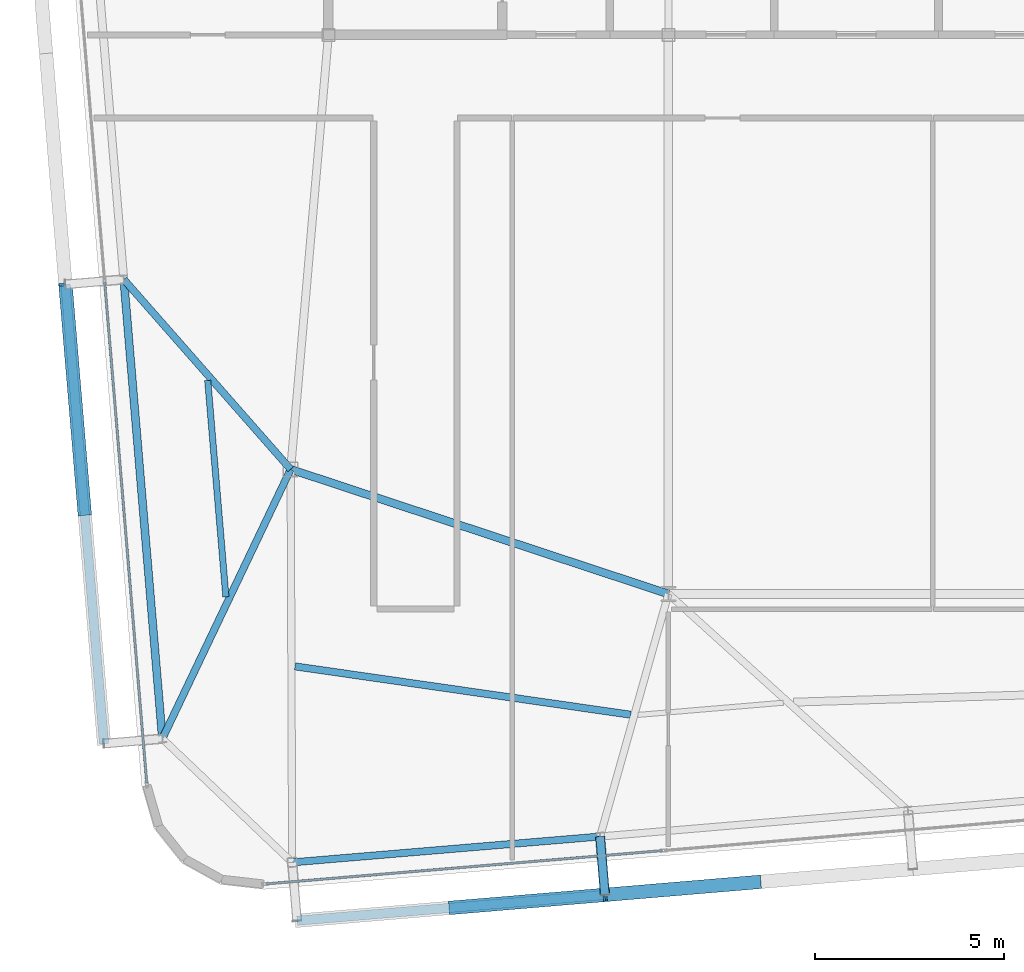
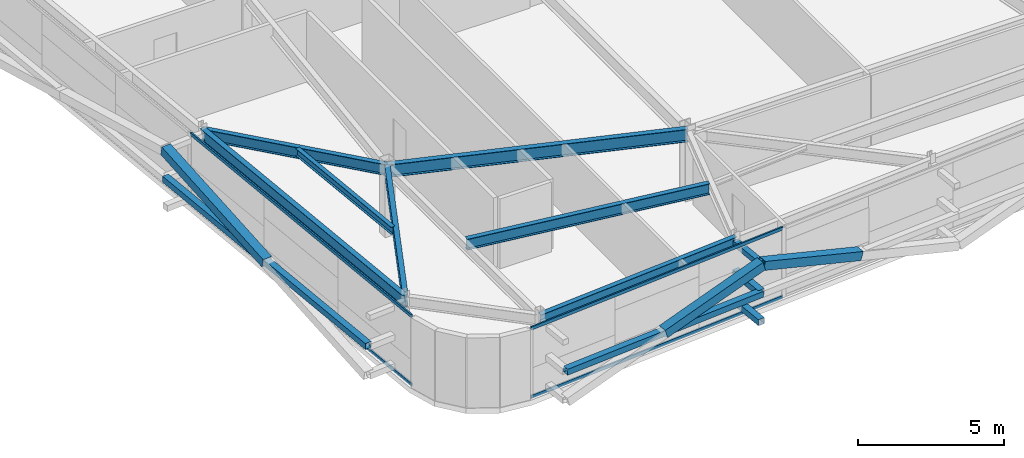
# One storey, part 8 of 39: 12 members, 7 beams, 2 elements without a shape of their own.
"""IFC4 building model written with IfcOpenShell, lengths in metres."""

import ifcopenshell
import ifcopenshell.guid

model = None  # the IFC model being written
_history = None  # IfcOwnerHistory: only IFC2X3 demands one
_inside = {}  # id of a spatial element -> (the spatial element, [elements in it])
_under = {}  # id of a project, library or spatial element -> (it, [spatial elements below it])
_declared = {}  # id of a project -> (the project, [libraries it declares])
_typed = {}  # id of a type object -> (the type object, [elements of that type])
_made_of = {}  # id of a material, layer set ... -> (it, [elements and type objects made of it])


def new_model(schema):
    """Start an empty IFC model of exactly this schema.

    Asked for "IFC4X3", IfcOpenShell would pick the latest addendum, in which some entities
    have other attributes; the version numbers below select the first issue.
    IFC2X3 requires an IfcOwnerHistory on every rooted entity: one is made here for all.
    """
    global model, _history
    if schema == "IFC4X3":
        model = ifcopenshell.file(schema_version=(4, 3, 0, 0))
    else:
        model = ifcopenshell.file(schema=schema)
    _inside.clear()
    _under.clear()
    _declared.clear()
    _typed.clear()
    _made_of.clear()
    _history = None
    if model.schema == "IFC2X3":
        org = make("IfcOrganization", Name="unknown")
        user = make(
            "IfcPersonAndOrganization",
            ThePerson=make("IfcPerson", FamilyName="unknown"),
            TheOrganization=org,
        )
        app = make(
            "IfcApplication",
            ApplicationDeveloper=org,
            Version="unknown",
            ApplicationFullName="unknown",
            ApplicationIdentifier="unknown",
        )
        _history = make(
            "IfcOwnerHistory",
            OwningUser=user,
            OwningApplication=app,
            ChangeAction="ADDED",
            CreationDate=0,
        )
    return model


def make(cls, **values):
    """One entity of the class cls with the attributes given. An attribute that is None is left unset."""
    return model.create_entity(
        cls, **{name: value for name, value in values.items() if value is not None}
    )


def rooted(cls, **values):
    """An entity with a GlobalId (a new one), such as an element, a storey or a relation."""
    return make(cls, GlobalId=ifcopenshell.guid.new(), OwnerHistory=_history, **values)


def si_unit(unit_type, name, prefix=None):
    """IfcSIUnit, for example si_unit("LENGTHUNIT", "METRE", prefix="MILLI")."""
    return make("IfcSIUnit", UnitType=unit_type, Prefix=prefix, Name=name)


def assignment(units):
    """IfcUnitAssignment: the units of a project."""
    return None if units is None else make("IfcUnitAssignment", Units=units)


def point(xyz):
    """IfcCartesianPoint."""
    return None if xyz is None else make("IfcCartesianPoint", Coordinates=xyz)


def direction(xyz):
    """IfcDirection."""
    return None if xyz is None else make("IfcDirection", DirectionRatios=xyz)


def frame(location, z_axis=None, x_axis=None):
    """IfcAxis2Placement3D, a coordinate frame: its origin and axes. An axis left out is left unset."""
    return make(
        "IfcAxis2Placement3D",
        Location=point(location),
        Axis=direction(z_axis),
        RefDirection=direction(x_axis),
    )


def frame_2d(location, x_axis=None):
    """IfcAxis2Placement2D, a coordinate frame in the plane: its origin and x axis."""
    return make(
        "IfcAxis2Placement2D", Location=point(location), RefDirection=direction(x_axis)
    )


def origin():
    """The frame at (0, 0, 0) with its axes left unset."""
    return frame((0.0, 0.0, 0.0))


def origin_2d():
    """The frame at (0, 0) in the plane with its x axis left unset."""
    return frame_2d((0.0, 0.0))


def place(relative_to, where):
    """IfcLocalPlacement: puts the frame where relative to a parent placement (None: the world)."""
    return make(
        "IfcLocalPlacement", PlacementRelTo=relative_to, RelativePlacement=where
    )


def context(
    kind, dimensions, precision=None, world=None, true_north=None, identifier=None
):
    """IfcGeometricRepresentationContext, for example the 3D "Model" context."""
    return make(
        "IfcGeometricRepresentationContext",
        ContextIdentifier=identifier,
        ContextType=kind,
        CoordinateSpaceDimension=dimensions,
        Precision=precision,
        WorldCoordinateSystem=world,
        TrueNorth=true_north,
    )


def subcontext(parent, identifier, kind, view, scale=None):
    """IfcGeometricRepresentationSubContext, for example "Body" below "Model"."""
    return make(
        "IfcGeometricRepresentationSubContext",
        ContextIdentifier=identifier,
        ContextType=kind,
        ParentContext=parent,
        TargetScale=scale,
        TargetView=view,
    )


def project(units=None, contexts=None):
    """IfcProject with its units and contexts."""
    return rooted(
        "IfcProject",
        Name="project",
        RepresentationContexts=contexts,
        UnitsInContext=assignment(units),
    )


def spatial(cls, under=None, at=None, **own):
    """A site, building, storey or space (cls), placed at a placement, below another one or the project."""
    s = rooted(cls, ObjectPlacement=at, **own)
    if under is not None:
        _under.setdefault(under.id(), (under, []))[1].append(s)
    return s


def profile(cls, at=None, kind="AREA", **sizes):
    """A parametric profile (cls). Its sizes go by their IFC names, for example OverallWidth=200.0."""
    return make(cls, ProfileType=kind, Position=at, **sizes)


def hollow_rectangle(**sizes):
    """IfcRectangleHollowProfileDef."""
    return profile("IfcRectangleHollowProfileDef", **sizes)


def i_section(**sizes):
    """IfcIShapeProfileDef."""
    return profile("IfcIShapeProfileDef", **sizes)


def extrude(swept, where, along, depth):
    """IfcExtrudedAreaSolid: the profile swept, set in the frame where, extruded along a direction by depth."""
    return make(
        "IfcExtrudedAreaSolid",
        SweptArea=swept,
        Position=where,
        ExtrudedDirection=direction(along),
        Depth=depth,
    )


def shape(context_of_items, identifier, shape_type, items):
    """IfcShapeRepresentation: the items that make up one representation, for example the "Body"."""
    return make(
        "IfcShapeRepresentation",
        ContextOfItems=context_of_items,
        RepresentationIdentifier=identifier,
        RepresentationType=shape_type,
        Items=items,
    )


def source(mapping_origin, context_of_items, identifier, shape_type, items):
    """IfcRepresentationMap: a shape defined once, which mapped items show again and again."""
    return make(
        "IfcRepresentationMap",
        MappingOrigin=mapping_origin,
        MappedRepresentation=shape(context_of_items, identifier, shape_type, items),
    )


def transform(
    local_origin,
    x_axis=None,
    y_axis=None,
    z_axis=None,
    scale=None,
    scale2=None,
    scale3=None,
    uniform=True,
):
    """IfcCartesianTransformationOperator3D, or its non-uniform kind. x_axis, y_axis, z_axis: its Axis1, 2, 3."""
    if uniform:
        return make(
            "IfcCartesianTransformationOperator3D",
            Axis1=direction(x_axis),
            Axis2=direction(y_axis),
            LocalOrigin=point(local_origin),
            Scale=scale,
            Axis3=direction(z_axis),
        )
    return make(
        "IfcCartesianTransformationOperator3DnonUniform",
        Axis1=direction(x_axis),
        Axis2=direction(y_axis),
        LocalOrigin=point(local_origin),
        Scale=scale,
        Axis3=direction(z_axis),
        Scale2=scale2,
        Scale3=scale3,
    )


def mapped(mapping_source, mapping_target):
    """IfcMappedItem: shows the shape of a source again, moved by a transform."""
    return make(
        "IfcMappedItem", MappingSource=mapping_source, MappingTarget=mapping_target
    )


def material(Name=None, Category=None):
    """IfcMaterial."""
    return make("IfcMaterial", Name=Name, Category=Category)


def layer(
    of_material, thickness, ventilated=None, Name=None, Category=None, Priority=None
):
    """IfcMaterialLayer: one layer of a wall or slab, of a material (None: an air gap)."""
    return make(
        "IfcMaterialLayer",
        Material=of_material,
        LayerThickness=thickness,
        IsVentilated=ventilated,
        Name=Name,
        Category=Category,
        Priority=Priority,
    )


def layer_set(layers, Name=None):
    """IfcMaterialLayerSet."""
    return make("IfcMaterialLayerSet", MaterialLayers=layers, LayerSetName=Name)


def material_profile(
    of_material, cross_section, Name=None, Category=None, Priority=None
):
    """IfcMaterialProfile: a cross section and its material."""
    return make(
        "IfcMaterialProfile",
        Name=Name,
        Material=of_material,
        Profile=cross_section,
        Priority=Priority,
        Category=Category,
    )


def profile_set(profiles, Name=None, composite=None):
    """IfcMaterialProfileSet."""
    return make(
        "IfcMaterialProfileSet",
        Name=Name,
        MaterialProfiles=profiles,
        CompositeProfile=composite,
    )


def made_of(thing, what):
    """Note that an element or type object is made of a material, layer set ...; save() writes the relation."""
    if what is not None:
        _made_of.setdefault(what.id(), (what, []))[1].append(thing)
    return thing


def type_object(cls, material=None, **own):
    """A type object (cls), such as IfcWallType, which elements share."""
    return made_of(rooted(cls, **own), material)


def element(
    cls,
    number,
    at=None,
    inside=None,
    cuts=None,
    type_object=None,
    material=None,
    context=None,
    identifier="Body",
    shape_type=None,
    held_by="IfcProductDefinitionShape",
    body=None,
    shapes=None,
    **own,
):
    """One element of the class cls, such as IfcWall. Its Tag is "e" and its number.

    at: its placement. inside: the storey or other place that contains it. cuts: it is an
    opening in that element (IfcRelVoidsElement). A single representation is given by context,
    identifier, shape_type and body (its items); several are given by shapes. held_by: the class
    of the entity that holds the representations. save() writes the other relations.
    """
    e = rooted(cls, Tag="e%d" % number, ObjectPlacement=at, **own)
    if body is not None:
        shapes = [shape(context, identifier, shape_type, body)]
    if shapes is not None:
        e.Representation = make(held_by, Representations=shapes)
    if inside is not None:
        _inside.setdefault(inside.id(), (inside, []))[1].append(e)
    if cuts is not None:
        rooted(
            "IfcRelVoidsElement", RelatingBuildingElement=cuts, RelatedOpeningElement=e
        )
    if type_object is not None:
        _typed.setdefault(type_object.id(), (type_object, []))[1].append(e)
    return made_of(e, material)


def aggregate(whole, parts):
    """IfcRelAggregates: a whole, such as a stair, and the parts it consists of."""
    return rooted("IfcRelAggregates", RelatingObject=whole, RelatedObjects=parts)


def save(model, path):
    """Write the relations noted so far, then the file.

    IfcRelAggregates (storeys below a building ...), IfcRelContainedInSpatialStructure (elements
    in a storey), IfcRelDefinesByType, IfcRelAssociatesMaterial and IfcRelDeclares: one each for
    every whole, place, type object, material and project.
    """
    for whole, parts in _under.values():
        aggregate(whole, parts)
    for where, things in _inside.values():
        rooted(
            "IfcRelContainedInSpatialStructure",
            RelatedElements=things,
            RelatingStructure=where,
        )
    for kind, things in _typed.values():
        rooted("IfcRelDefinesByType", RelatedObjects=things, RelatingType=kind)
    for what, things in _made_of.values():
        rooted("IfcRelAssociatesMaterial", RelatedObjects=things, RelatingMaterial=what)
    for by, libraries in _declared.values():
        rooted("IfcRelDeclares", RelatingContext=by, RelatedDefinitions=libraries)
    model.write(path)


model = new_model("IFC4")

# Units and contexts
model_context = context("Model", 3, precision=1e-05, world=origin(), true_north=direction((0.0, 1.0)))
body_context = subcontext(model_context, "Body", "Model", "MODEL_VIEW")
ifc_project = project(units=[si_unit("LENGTHUNIT", "METRE"), si_unit("AREAUNIT", "SQUARE_METRE"), si_unit("VOLUMEUNIT", "CUBIC_METRE"), si_unit("PLANEANGLEUNIT", "RADIAN"), si_unit("MASSUNIT", "GRAM", prefix="KILO")], contexts=[model_context])

# Site, building, storey
site_placement = place(None, origin())
site = spatial("IfcSite", under=ifc_project, at=site_placement, CompositionType="ELEMENT")
building_placement = place(site_placement, origin())
building = spatial("IfcBuilding", under=site, at=building_placement, Name="Taldren Reach Tower", CompositionType="ELEMENT")
storey_placement = place(building_placement, frame((0.0, 0.0, 197.75)))
storey = spatial("IfcBuildingStorey", under=building, at=storey_placement, Name="L60", CompositionType="ELEMENT", Elevation=197.75)

# Beam
ifc_material_1 = material(Name="Steel Gr 350 (350PLUS)", Category="steel")
ifc_material_profile_1 = material_profile(ifc_material_1, i_section(OverallWidth=0.208984375, OverallDepth=0.532958984375, WebThickness=0.01025390625, FlangeThickness=0.015625, at=origin_2d()), Name="530UB92.4")
ifc_profile_set_1 = profile_set([ifc_material_profile_1], Name="Steel Gr 350 (350PLUS)")
beam_type_1 = type_object("IfcBeamType", Name="BM-UB530A", PredefinedType="BEAM", material=ifc_profile_set_1)
shared_shape_1 = source(origin(), body_context, "Body", "SweptSolid", [
    extrude(i_section(OverallWidth=0.208984375, OverallDepth=0.532958984375, WebThickness=0.01025390625, FlangeThickness=0.015625, at=origin_2d()), origin(), (0.0, 0.0, 1.0), 10.530517578125),
])
beam_1_placement = place(storey_placement, frame((18.0, 12.5, 2.66357421875), z_axis=(0.949627269203, -0.313381635689, 0.0), x_axis=(0.313381635689, 0.949627269203, 0.0)))
element("IfcBeam", 1, at=beam_1_placement, inside=storey, type_object=beam_type_1, Name="Core-spine girder L60-SP10", PredefinedType="BEAM", context=body_context, shape_type="MappedRepresentation", body=[
    mapped(shared_shape_1, transform((0.0, 0.0, 0.0), scale=1.0)),
])

# Members
ifc_material_2 = material(Name="Steel Gr 350 (C350L0)", Category="steel")
ifc_material_profile_2 = material_profile(ifc_material_2, hollow_rectangle(XDim=0.25, YDim=0.25, WallThickness=0.010009765625, at=origin_2d()), Name="250x250x10.0SHS")
ifc_profile_set_2 = profile_set([ifc_material_profile_2], Name="Steel Gr 350 (C350L0)")
member_type_1 = type_object("IfcMemberType", Name="MB-POST250", PredefinedType="POST", material=ifc_profile_set_2)
shared_shape_2 = source(origin(), body_context, "Body", "SweptSolid", [
    extrude(hollow_rectangle(XDim=0.25, YDim=0.25, WallThickness=0.010009765625, at=origin_2d()), origin(), (0.0, 0.0, 1.0), 1.550048828125),
])
for number, where, z_axis, x_axis, name in (
    (2, (26.19091796875, 2.778564453125, 0.219970703125), (0.083632013783, -0.996496706603, 0.0), (0.996496706603, 0.083632013783, 0.0), "Exoskeleton base diaphragm tie strut B4-S2 L60"),
    (3, (26.19091796875, 2.778564453125, 1.43505859375), (0.083632013783, -0.996496706603, 0.0), (0.996496706603, 0.083632013783, 0.0), "Exoskeleton mid-tier diaphragm tie B4-S2 L60"),
):
    element("IfcMember", number, at=place(storey_placement, frame(where, z_axis=z_axis, x_axis=x_axis)), inside=storey, type_object=member_type_1, Name=name, PredefinedType="POST", context=body_context, shape_type="MappedRepresentation", body=[
        mapped(shared_shape_2, transform((0.0, 0.0, 0.0), scale=1.0)),
    ])

# Beams
ifc_material_profile_3 = material_profile(ifc_material_1, i_section(OverallWidth=0.18994140625, OverallDepth=0.4541015625, WebThickness=0.008544921875, FlangeThickness=0.0126953125, at=origin_2d()), Name="460UB67.1")
ifc_profile_set_3 = profile_set([ifc_material_profile_3], Name="Steel Gr 350 (350PLUS)")
beam_type_2 = type_object("IfcBeamType", Name="SP-UB460B", PredefinedType="SPANDREL", material=ifc_profile_set_3)
shared_shape_3 = source(origin(), body_context, "Body", "SweptSolid", [
    extrude(i_section(OverallWidth=0.18994140625, OverallDepth=0.4541015625, WebThickness=0.008544921875, FlangeThickness=0.0126953125, at=origin_2d()), origin(), (0.0, 0.0, 1.0), 8.18017578125),
])
beam_2_placement = place(storey_placement, frame((18.03955078125, 2.093994140625, 2.702880859375), z_axis=(0.996492034688, 0.083687662192, 0.0), x_axis=(-0.083687662192, 0.996492034688, 0.0)))
element("IfcBeam", 4, at=beam_2_placement, inside=storey, type_object=beam_type_2, Name="Perimeter spandrel B4 S1-S2 L60", PredefinedType="SPANDREL", context=body_context, shape_type="MappedRepresentation", body=[
    mapped(shared_shape_3, transform((0.0, 0.0, 0.0), scale=1.0)),
])
ifc_material_profile_4 = material_profile(ifc_material_1, i_section(OverallWidth=0.208984375, OverallDepth=0.528076171875, WebThickness=0.009521484375, FlangeThickness=0.01318359375, at=origin_2d()), Name="530UB82.0")
ifc_profile_set_4 = profile_set([ifc_material_profile_4], Name="Steel Gr 350 (350PLUS)")
beam_type_3 = type_object("IfcBeamType", Name="SP-UB530B", PredefinedType="SPANDREL", material=ifc_profile_set_4)
shared_shape_4 = source(origin(), body_context, "Body", "SweptSolid", [
    extrude(i_section(OverallWidth=0.208984375, OverallDepth=0.528076171875, WebThickness=0.009521484375, FlangeThickness=0.01318359375, at=origin_2d()), origin(), (0.0, 0.0, 1.0), 12.199951171875),
])
beam_3_placement = place(storey_placement, frame((13.582763671875, 17.525146484375, 2.666015625), z_axis=(0.083688038336, -0.996492003099, 0.0), x_axis=(0.996492003099, 0.083688038336, 0.0)))
element("IfcBeam", 5, at=beam_3_placement, inside=storey, type_object=beam_type_3, Name="Perimeter spandrel B4 W2-W1 L60", PredefinedType="SPANDREL", context=body_context, shape_type="MappedRepresentation", body=[
    mapped(shared_shape_4, transform((0.0, 0.0, 0.0), scale=1.0)),
])
ifc_material_profile_5 = material_profile(ifc_material_1, i_section(OverallWidth=0.19091796875, OverallDepth=0.4599609375, WebThickness=0.010009765625, FlangeThickness=0.01611328125, at=origin_2d()), Name="460UB82.1")
ifc_profile_set_5 = profile_set([ifc_material_profile_5], Name="Steel Gr 350 (350PLUS)")
beam_type_4 = type_object("IfcBeamType", Name="BM-UB460A", PredefinedType="BEAM", material=ifc_profile_set_5)
shared_shape_5 = source(origin(), body_context, "Body", "SweptSolid", [
    extrude(i_section(OverallWidth=0.19091796875, OverallDepth=0.4599609375, WebThickness=0.010009765625, FlangeThickness=0.01611328125, at=origin_2d()), origin(), (0.0, 0.0, 1.0), 6.690673828125),
])
beam_4_placement = place(storey_placement, frame((18.0, 12.5, 2.699951171875), z_axis=(-0.660215677485, 0.751076067521, 0.0), x_axis=(-0.751076067521, -0.660215677485, 0.0)))
element("IfcBeam", 6, at=beam_4_placement, inside=storey, type_object=beam_type_4, Name="Primary floor girder B4-W2 L60", PredefinedType="BEAM", context=body_context, shape_type="MappedRepresentation", body=[
    mapped(shared_shape_5, transform((0.0, 0.0, 0.0), scale=1.0)),
])
shared_shape_6 = source(origin(), body_context, "Body", "SweptSolid", [
    extrude(i_section(OverallWidth=0.19091796875, OverallDepth=0.4599609375, WebThickness=0.010009765625, FlangeThickness=0.01611328125, at=origin_2d()), origin(), (0.0, 0.0, 1.0), 7.8994140625),
])
beam_5_placement = place(storey_placement, frame((18.0, 12.5, 2.699951171875), z_axis=(-0.429934780074, -0.902859947546, 0.0), x_axis=(0.902859947546, -0.429934780074, 0.0)))
element("IfcBeam", 7, at=beam_5_placement, inside=storey, type_object=beam_type_4, Name="Primary floor girder B4-W1 L60", PredefinedType="BEAM", context=body_context, shape_type="MappedRepresentation", body=[
    mapped(shared_shape_6, transform((0.0, 0.0, 0.0), scale=1.0)),
])
shared_shape_7 = source(origin(), body_context, "Body", "SweptSolid", [
    extrude(i_section(OverallWidth=0.19091796875, OverallDepth=0.4599609375, WebThickness=0.010009765625, FlangeThickness=0.01611328125, at=origin_2d()), origin(), (0.0, 0.0, 1.0), 8.9765625),
])
beam_6_placement = place(storey_placement, frame((18.115478515625, 7.283203125, 2.699951171875), z_axis=(0.989776873291, -0.142624475806, 0.0), x_axis=(0.142624475806, 0.989776873291, 0.0)))
element("IfcBeam", 8, at=beam_6_placement, inside=storey, type_object=beam_type_4, Name="Secondary floor beam B4 J1 L60", PredefinedType="BEAM", context=body_context, shape_type="MappedRepresentation", body=[
    mapped(shared_shape_7, transform((0.0, 0.0, 0.0), scale=1.0)),
])
ifc_material_3 = material(Name="Steel Gr 300 (300PLUS, 300 MPa)", Category="steel")
ifc_material_profile_6 = material_profile(ifc_material_3, i_section(OverallWidth=0.166015625, OverallDepth=0.306884765625, WebThickness=0.006591796875, FlangeThickness=0.01171875, at=origin_2d()), Name="310UB46.2")
ifc_profile_set_6 = profile_set([ifc_material_profile_6], Name="Steel Gr 300 (300PLUS, 300 MPa)")
beam_type_5 = type_object("IfcBeamType", Name="JS-UB310", PredefinedType="JOIST", material=ifc_profile_set_6)
shared_shape_8 = source(origin(), body_context, "Body", "SweptSolid", [
    extrude(i_section(OverallWidth=0.166015625, OverallDepth=0.306884765625, WebThickness=0.006591796875, FlangeThickness=0.01171875, at=origin_2d()), origin(), (0.0, 0.0, 1.0), 5.750244140625),
])
beam_7_placement = place(storey_placement, frame((16.285888671875, 9.122802734375, 2.776611328125), z_axis=(-0.083642808993, 0.996495800545, 0.0), x_axis=(-0.996495800545, -0.083642808993, 0.0)))
element("IfcBeam", 9, at=beam_7_placement, inside=storey, type_object=beam_type_5, Name="Secondary floor joist B4 J6 L60", PredefinedType="JOIST", context=body_context, shape_type="MappedRepresentation", body=[
    mapped(shared_shape_8, transform((0.0, 0.0, 0.0), scale=1.0)),
])

# Members
ifc_material_4 = material(Name="Steel Gr 450 (C450L0)", Category="steel")
ifc_material_profile_7 = material_profile(ifc_material_4, hollow_rectangle(XDim=0.219970703125, YDim=0.219970703125, WallThickness=0.00830078125, at=origin_2d()), Name="220x220x8.2SHS")
ifc_profile_set_7 = profile_set([ifc_material_profile_7], Name="Steel Gr 450 (C450L0)")
member_type_2 = type_object("IfcMemberType", Name="MB-TIE219", PredefinedType="STRUT", material=ifc_profile_set_7)
shared_shape_9 = source(origin(), body_context, "Body", "SweptSolid", [
    extrude(hollow_rectangle(XDim=0.219970703125, YDim=0.219970703125, WallThickness=0.00830078125, at=origin_2d()), origin(), (0.0, 0.0, 1.0), 1.550048828125),
])
member_1_placement = place(storey_placement, frame((26.19091796875, 2.778564453125, 2.64990234375), z_axis=(0.083632013783, -0.996496706603, 0.0), x_axis=(0.996496706603, 0.083632013783, 0.0)))
element("IfcMember", 10, at=member_1_placement, inside=storey, type_object=member_type_2, Name="Exoskeleton diaphragm tie strut B4-S2 L60", PredefinedType="STRUT", context=body_context, shape_type="MappedRepresentation", body=[
    mapped(shared_shape_9, transform((0.0, 0.0, 0.0), scale=1.0)),
])
shared_shape_10 = source(origin(), body_context, "Body", "SweptSolid", [
    extrude(hollow_rectangle(XDim=0.25, YDim=0.25, WallThickness=0.010009765625, at=origin_2d()), origin(), (0.0, 0.0, 1.0), 8.1796875),
])
member_2_placement = place(storey_placement, frame((18.16943359375, 0.549560546875, 1.43505859375), z_axis=(0.996494314327, 0.083660513465, 0.0), x_axis=(-0.083660513465, 0.996494314327, 0.0)))
element("IfcMember", 11, at=member_2_placement, inside=storey, type_object=member_type_1, Name="Exoskeleton mid-height ring chord B4-S1 L60", PredefinedType="POST", context=body_context, shape_type="MappedRepresentation", body=[
    mapped(shared_shape_10, transform((0.0, 0.0, 0.0), scale=1.0)),
])
shared_shape_11 = source(origin(), body_context, "Body", "SweptSolid", [
    extrude(hollow_rectangle(XDim=0.25, YDim=0.25, WallThickness=0.010009765625, at=origin_2d()), origin(), (0.0, 0.0, 1.0), 12.199951171875),
])
member_3_placement = place(storey_placement, frame((13.05908203125, 5.23828125, 1.43505859375), z_axis=(-0.083688038336, 0.996492003099, 0.0), x_axis=(-0.996492003099, -0.083688038336, 0.0)))
element("IfcMember", 12, at=member_3_placement, inside=storey, type_object=member_type_1, Name="Exoskeleton mid-height ring chord B4-W1 L60", PredefinedType="POST", context=body_context, shape_type="MappedRepresentation", body=[
    mapped(shared_shape_11, transform((0.0, 0.0, 0.0), scale=1.0)),
])
ifc_material_profile_8 = material_profile(ifc_material_4, hollow_rectangle(XDim=0.360107421875, YDim=0.360107421875, WallThickness=0.0126953125, at=origin_2d()), Name="360x360x12.7SHS")
ifc_profile_set_8 = profile_set([ifc_material_profile_8], Name="Steel Gr 450 (C450L0)")
member_type_3 = type_object("IfcMemberType", Name="MB-EXO356", PredefinedType="BRACE", material=ifc_profile_set_8)
shared_shape_12 = source(origin(), body_context, "Body", "SweptSolid", [
    extrude(hollow_rectangle(XDim=0.360107421875, YDim=0.360107421875, WallThickness=0.0126953125, at=origin_2d()), origin(), (0.0, 0.0, 1.0), 4.2666015625),
])
member_4_placement = place(storey_placement, frame((30.396240234375, 1.576171875, 1.43505859375), z_axis=(-0.955244723646, -0.080223619417, 0.284730906006), x_axis=(0.083687662192, -0.996492034688, 0.0)))
element("IfcMember", 13, at=member_4_placement, inside=storey, type_object=member_type_3, Name="Exoskeleton Diagrid Brace B4-S2 L60", PredefinedType="BRACE", context=body_context, shape_type="MappedRepresentation", body=[
    mapped(shared_shape_12, transform((0.0, 0.0, 0.0), scale=1.0)),
])
shared_shape_13 = source(origin(), body_context, "Body", "SweptSolid", [
    extrude(hollow_rectangle(XDim=0.360107421875, YDim=0.360107421875, WallThickness=0.0126953125, at=origin_2d()), origin(), (0.0, 0.0, 1.0), 4.266357421875),
])
member_5_placement = place(storey_placement, frame((22.2451171875, 0.8916015625, 1.43505859375), z_axis=(0.955239715981, 0.080228004661, 0.28474647018), x_axis=(-0.083692640416, 0.996491616593, 0.0)))
element("IfcMember", 14, at=member_5_placement, inside=storey, type_object=member_type_3, Name="Exoskeleton Diagrid Brace B4-S1 L60", PredefinedType="BRACE", context=body_context, shape_type="MappedRepresentation", body=[
    mapped(shared_shape_13, transform((0.0, 0.0, 0.0), scale=1.0)),
])
shared_shape_14 = source(origin(), body_context, "Body", "SweptSolid", [
    extrude(hollow_rectangle(XDim=0.360107421875, YDim=0.360107421875, WallThickness=0.0126953125, at=origin_2d()), origin(), (0.0, 0.0, 1.0), 6.2197265625),
])
member_6_placement = place(storey_placement, frame((12.548583984375, 11.31689453125, 1.43505859375), z_axis=(-0.082076194186, 0.977299417909, 0.19531857593), x_axis=(-0.996492003099, -0.083688038336, 0.0)))
element("IfcMember", 15, at=member_6_placement, inside=storey, type_object=member_type_3, Name="Exoskeleton Diagrid Brace B4-W1 L60", PredefinedType="BRACE", context=body_context, shape_type="MappedRepresentation", body=[
    mapped(shared_shape_14, transform((0.0, 0.0, 0.0), scale=1.0)),
])

# Curtain wall, members
ifc_material_5 = material(Name="Aluminium and Low-E Glass Unitised System", Category="aluminium")
ifc_layer = layer(ifc_material_5, 0.159912109375)
ifc_layer_set = layer_set([ifc_layer], Name="Aluminium and Low-E Glass Unitised System")
curtain_wall_type = type_object("IfcCurtainWallType", Name="CW-SYS-5", PredefinedType="NOTDEFINED", material=ifc_layer_set)
curtain_wall_1_placement = place(storey_placement, origin())
curtain_wall_1 = element("IfcCurtainWall", 16, at=curtain_wall_1_placement, inside=storey, type_object=curtain_wall_type, Name="Unitised curtain wall CW-L60-S", PredefinedType="NOTDEFINED")
ifc_material_6 = material(Name="Anodised Aluminium 6063-T6", Category="aluminium")
ifc_material_profile_9 = material_profile(ifc_material_6, hollow_rectangle(XDim=0.06005859375, YDim=0.135009765625, WallThickness=0.00341796875, at=origin_2d()), Name="ALU-135x60x3.5RHS")
ifc_profile_set_9 = profile_set([ifc_material_profile_9], Name="Anodised Aluminium 6063-T6")
member_type_4 = type_object("IfcMemberType", Name="CW-TRN-150", PredefinedType="USERDEFINED", material=ifc_profile_set_9)
shared_shape_15 = source(origin(), body_context, "Body", "SweptSolid", [
    extrude(hollow_rectangle(XDim=0.06005859375, YDim=0.135009765625, WallThickness=0.00341796875, at=origin_2d()), origin(), (0.0, 0.0, 1.0), 10.519775390625),
])
member_7_placement = place(storey_placement, frame((17.35498046875, 1.524658203125, 0.030029296875), z_axis=(0.996492094046, 0.083686955404, 0.0), x_axis=(-0.083686955404, 0.996492094046, 0.0)))
member_7 = element("IfcMember", 17, at=member_7_placement, type_object=member_type_4, Name="CW-5 transom 1.1", ObjectType="TRANSOM", PredefinedType="USERDEFINED", context=body_context, shape_type="MappedRepresentation", body=[
    mapped(shared_shape_15, transform((0.0, 0.0, 0.0), scale=1.0)),
])
member_8_placement = place(storey_placement, frame((17.35498046875, 1.524658203125, 2.89990234375), z_axis=(0.996492094046, 0.083686955404, 0.0), x_axis=(-0.083686955404, 0.996492094046, 0.0)))
member_8 = element("IfcMember", 18, at=member_8_placement, type_object=member_type_4, Name="CW-5 transom 1.2", ObjectType="TRANSOM", PredefinedType="USERDEFINED", context=body_context, shape_type="MappedRepresentation", body=[
    mapped(shared_shape_15, transform((0.0, 0.0, 0.0), scale=1.0)),
])
aggregate(curtain_wall_1, [member_7, member_8])

curtain_wall_2_placement = place(storey_placement, origin())
curtain_wall_2 = element("IfcCurtainWall", 19, at=curtain_wall_2_placement, inside=storey, type_object=curtain_wall_type, Name="Unitised curtain wall CW-L60-W", PredefinedType="NOTDEFINED")
shared_shape_16 = source(origin(), body_context, "Body", "SweptSolid", [
    extrude(hollow_rectangle(XDim=0.06005859375, YDim=0.135009765625, WallThickness=0.00341796875, at=origin_2d()), origin(), (0.0, 0.0, 1.0), 13.295166015625),
])
member_9_placement = place(storey_placement, frame((13.077392578125, 17.44775390625, 0.030029296875), z_axis=(0.083680700004, -0.996492619364, 0.0), x_axis=(0.996492619364, 0.083680700004, 0.0)))
member_9 = element("IfcMember", 20, at=member_9_placement, type_object=member_type_4, Name="CW-5 transom 2.1", ObjectType="TRANSOM", PredefinedType="USERDEFINED", context=body_context, shape_type="MappedRepresentation", body=[
    mapped(shared_shape_16, transform((0.0, 0.0, 0.0), scale=1.0)),
])
member_10_placement = place(storey_placement, frame((13.077392578125, 17.44775390625, 2.89990234375), z_axis=(0.083680700004, -0.996492619364, 0.0), x_axis=(0.996492619364, 0.083680700004, 0.0)))
member_10 = element("IfcMember", 21, at=member_10_placement, type_object=member_type_4, Name="CW-5 transom 2.2", ObjectType="TRANSOM", PredefinedType="USERDEFINED", context=body_context, shape_type="MappedRepresentation", body=[
    mapped(shared_shape_16, transform((0.0, 0.0, 0.0), scale=1.0)),
])
aggregate(curtain_wall_2, [member_9, member_10])

save(model, "model.ifc")
